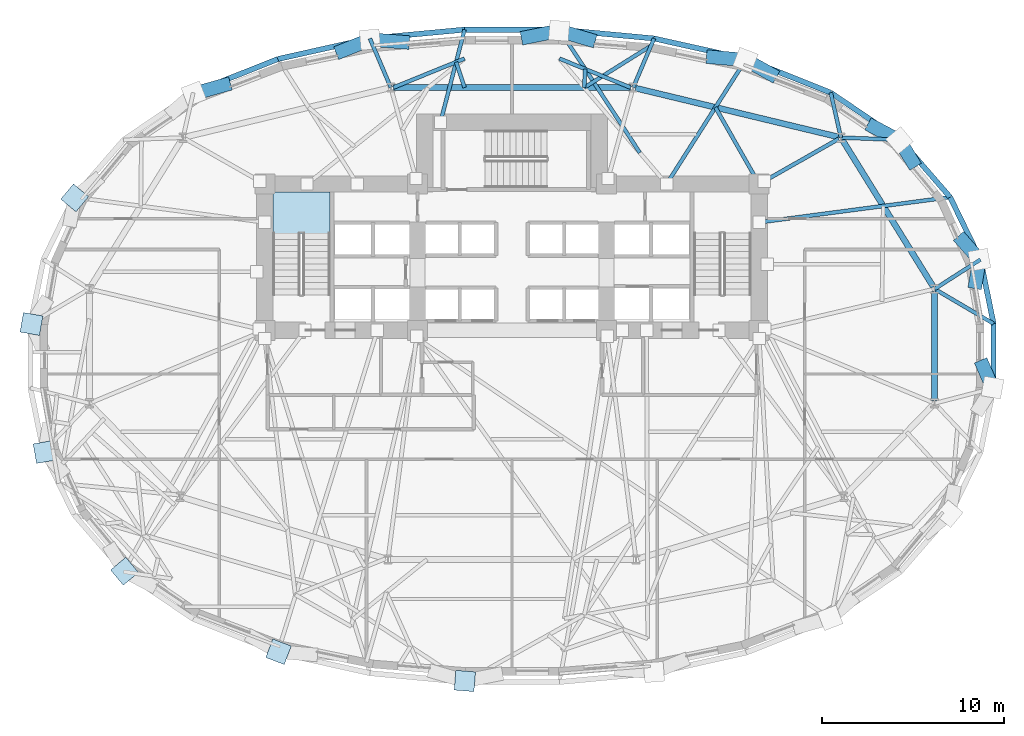
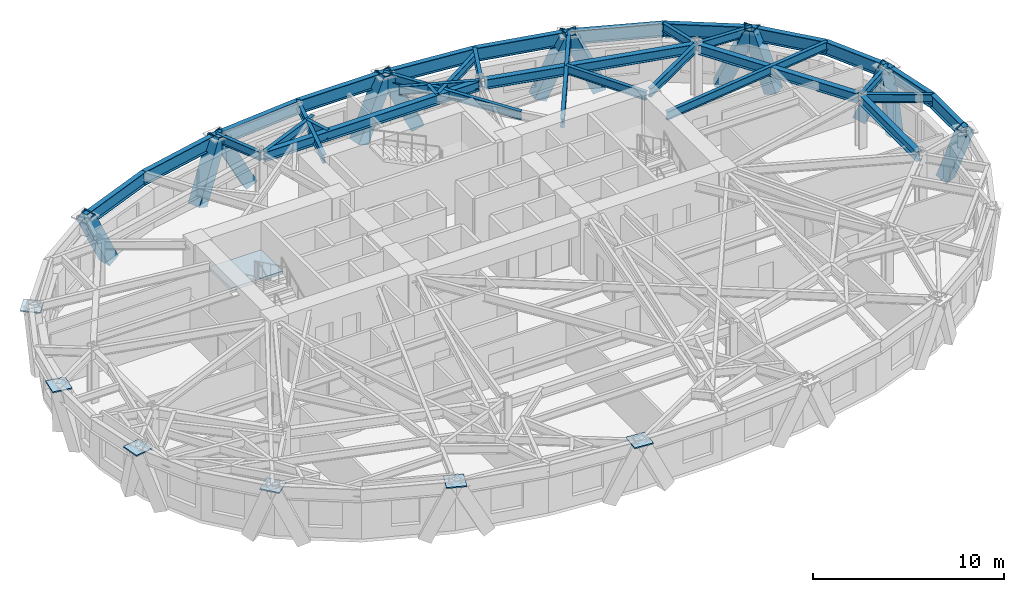
# One storey, part 4 of 13: 33 beams, 12 members, 6 plates, 1 slab, 1 element without a shape of its own.
"""IFC4 building model written with IfcOpenShell, lengths in metres."""

import ifcopenshell
import ifcopenshell.guid

model = None  # the IFC model being written
_history = None  # IfcOwnerHistory: only IFC2X3 demands one
_inside = {}  # id of a spatial element -> (the spatial element, [elements in it])
_under = {}  # id of a project, library or spatial element -> (it, [spatial elements below it])
_declared = {}  # id of a project -> (the project, [libraries it declares])
_typed = {}  # id of a type object -> (the type object, [elements of that type])
_made_of = {}  # id of a material, layer set ... -> (it, [elements and type objects made of it])


def new_model(schema):
    """Start an empty IFC model of exactly this schema.

    Asked for "IFC4X3", IfcOpenShell would pick the latest addendum, in which some entities
    have other attributes; the version numbers below select the first issue.
    IFC2X3 requires an IfcOwnerHistory on every rooted entity: one is made here for all.
    """
    global model, _history
    if schema == "IFC4X3":
        model = ifcopenshell.file(schema_version=(4, 3, 0, 0))
    else:
        model = ifcopenshell.file(schema=schema)
    _inside.clear()
    _under.clear()
    _declared.clear()
    _typed.clear()
    _made_of.clear()
    _history = None
    if model.schema == "IFC2X3":
        org = make("IfcOrganization", Name="unknown")
        user = make(
            "IfcPersonAndOrganization",
            ThePerson=make("IfcPerson", FamilyName="unknown"),
            TheOrganization=org,
        )
        app = make(
            "IfcApplication",
            ApplicationDeveloper=org,
            Version="unknown",
            ApplicationFullName="unknown",
            ApplicationIdentifier="unknown",
        )
        _history = make(
            "IfcOwnerHistory",
            OwningUser=user,
            OwningApplication=app,
            ChangeAction="ADDED",
            CreationDate=0,
        )
    return model


def make(cls, **values):
    """One entity of the class cls with the attributes given. An attribute that is None is left unset."""
    return model.create_entity(
        cls, **{name: value for name, value in values.items() if value is not None}
    )


def rooted(cls, **values):
    """An entity with a GlobalId (a new one), such as an element, a storey or a relation."""
    return make(cls, GlobalId=ifcopenshell.guid.new(), OwnerHistory=_history, **values)


def si_unit(unit_type, name, prefix=None):
    """IfcSIUnit, for example si_unit("LENGTHUNIT", "METRE", prefix="MILLI")."""
    return make("IfcSIUnit", UnitType=unit_type, Prefix=prefix, Name=name)


def assignment(units):
    """IfcUnitAssignment: the units of a project."""
    return None if units is None else make("IfcUnitAssignment", Units=units)


def point(xyz):
    """IfcCartesianPoint."""
    return None if xyz is None else make("IfcCartesianPoint", Coordinates=xyz)


def direction(xyz):
    """IfcDirection."""
    return None if xyz is None else make("IfcDirection", DirectionRatios=xyz)


def frame(location, z_axis=None, x_axis=None):
    """IfcAxis2Placement3D, a coordinate frame: its origin and axes. An axis left out is left unset."""
    return make(
        "IfcAxis2Placement3D",
        Location=point(location),
        Axis=direction(z_axis),
        RefDirection=direction(x_axis),
    )


def frame_2d(location, x_axis=None):
    """IfcAxis2Placement2D, a coordinate frame in the plane: its origin and x axis."""
    return make(
        "IfcAxis2Placement2D", Location=point(location), RefDirection=direction(x_axis)
    )


def origin():
    """The frame at (0, 0, 0) with its axes left unset."""
    return frame((0.0, 0.0, 0.0))


def origin_2d():
    """The frame at (0, 0) in the plane with its x axis left unset."""
    return frame_2d((0.0, 0.0))


def place(relative_to, where):
    """IfcLocalPlacement: puts the frame where relative to a parent placement (None: the world)."""
    return make(
        "IfcLocalPlacement", PlacementRelTo=relative_to, RelativePlacement=where
    )


def context(
    kind, dimensions, precision=None, world=None, true_north=None, identifier=None
):
    """IfcGeometricRepresentationContext, for example the 3D "Model" context."""
    return make(
        "IfcGeometricRepresentationContext",
        ContextIdentifier=identifier,
        ContextType=kind,
        CoordinateSpaceDimension=dimensions,
        Precision=precision,
        WorldCoordinateSystem=world,
        TrueNorth=true_north,
    )


def subcontext(parent, identifier, kind, view, scale=None):
    """IfcGeometricRepresentationSubContext, for example "Body" below "Model"."""
    return make(
        "IfcGeometricRepresentationSubContext",
        ContextIdentifier=identifier,
        ContextType=kind,
        ParentContext=parent,
        TargetScale=scale,
        TargetView=view,
    )


def project(units=None, contexts=None):
    """IfcProject with its units and contexts."""
    return rooted(
        "IfcProject",
        Name="project",
        RepresentationContexts=contexts,
        UnitsInContext=assignment(units),
    )


def spatial(cls, under=None, at=None, **own):
    """A site, building, storey or space (cls), placed at a placement, below another one or the project."""
    s = rooted(cls, ObjectPlacement=at, **own)
    if under is not None:
        _under.setdefault(under.id(), (under, []))[1].append(s)
    return s


def polyline(points):
    """IfcPolyline through the points."""
    return make("IfcPolyline", Points=[point(p) for p in points])


def profile(cls, at=None, kind="AREA", **sizes):
    """A parametric profile (cls). Its sizes go by their IFC names, for example OverallWidth=200.0."""
    return make(cls, ProfileType=kind, Position=at, **sizes)


def rectangle(**sizes):
    """IfcRectangleProfileDef."""
    return profile("IfcRectangleProfileDef", **sizes)


def hollow_rectangle(**sizes):
    """IfcRectangleHollowProfileDef."""
    return profile("IfcRectangleHollowProfileDef", **sizes)


def i_section(**sizes):
    """IfcIShapeProfileDef."""
    return profile("IfcIShapeProfileDef", **sizes)


def outline(outer, holes=None, kind="AREA"):
    """IfcArbitraryClosedProfileDef: a profile drawn as a closed curve; with holes, ...WithVoids."""
    if holes is None:
        return make("IfcArbitraryClosedProfileDef", ProfileType=kind, OuterCurve=outer)
    return make(
        "IfcArbitraryProfileDefWithVoids",
        ProfileType=kind,
        OuterCurve=outer,
        InnerCurves=holes,
    )


def extrude(swept, where, along, depth):
    """IfcExtrudedAreaSolid: the profile swept, set in the frame where, extruded along a direction by depth."""
    return make(
        "IfcExtrudedAreaSolid",
        SweptArea=swept,
        Position=where,
        ExtrudedDirection=direction(along),
        Depth=depth,
    )


def shape(context_of_items, identifier, shape_type, items):
    """IfcShapeRepresentation: the items that make up one representation, for example the "Body"."""
    return make(
        "IfcShapeRepresentation",
        ContextOfItems=context_of_items,
        RepresentationIdentifier=identifier,
        RepresentationType=shape_type,
        Items=items,
    )


def material(Name=None, Category=None):
    """IfcMaterial."""
    return make("IfcMaterial", Name=Name, Category=Category)


def layer(
    of_material, thickness, ventilated=None, Name=None, Category=None, Priority=None
):
    """IfcMaterialLayer: one layer of a wall or slab, of a material (None: an air gap)."""
    return make(
        "IfcMaterialLayer",
        Material=of_material,
        LayerThickness=thickness,
        IsVentilated=ventilated,
        Name=Name,
        Category=Category,
        Priority=Priority,
    )


def layer_set(layers, Name=None):
    """IfcMaterialLayerSet."""
    return make("IfcMaterialLayerSet", MaterialLayers=layers, LayerSetName=Name)


def material_profile(
    of_material, cross_section, Name=None, Category=None, Priority=None
):
    """IfcMaterialProfile: a cross section and its material."""
    return make(
        "IfcMaterialProfile",
        Name=Name,
        Material=of_material,
        Profile=cross_section,
        Priority=Priority,
        Category=Category,
    )


def profile_set(profiles, Name=None, composite=None):
    """IfcMaterialProfileSet."""
    return make(
        "IfcMaterialProfileSet",
        Name=Name,
        MaterialProfiles=profiles,
        CompositeProfile=composite,
    )


def made_of(thing, what):
    """Note that an element or type object is made of a material, layer set ...; save() writes the relation."""
    if what is not None:
        _made_of.setdefault(what.id(), (what, []))[1].append(thing)
    return thing


def type_object(cls, material=None, **own):
    """A type object (cls), such as IfcWallType, which elements share."""
    return made_of(rooted(cls, **own), material)


def element(
    cls,
    number,
    at=None,
    inside=None,
    cuts=None,
    type_object=None,
    material=None,
    context=None,
    identifier="Body",
    shape_type=None,
    held_by="IfcProductDefinitionShape",
    body=None,
    shapes=None,
    **own,
):
    """One element of the class cls, such as IfcWall. Its Tag is "e" and its number.

    at: its placement. inside: the storey or other place that contains it. cuts: it is an
    opening in that element (IfcRelVoidsElement). A single representation is given by context,
    identifier, shape_type and body (its items); several are given by shapes. held_by: the class
    of the entity that holds the representations. save() writes the other relations.
    """
    e = rooted(cls, Tag="e%d" % number, ObjectPlacement=at, **own)
    if body is not None:
        shapes = [shape(context, identifier, shape_type, body)]
    if shapes is not None:
        e.Representation = make(held_by, Representations=shapes)
    if inside is not None:
        _inside.setdefault(inside.id(), (inside, []))[1].append(e)
    if cuts is not None:
        rooted(
            "IfcRelVoidsElement", RelatingBuildingElement=cuts, RelatedOpeningElement=e
        )
    if type_object is not None:
        _typed.setdefault(type_object.id(), (type_object, []))[1].append(e)
    return made_of(e, material)


def aggregate(whole, parts):
    """IfcRelAggregates: a whole, such as a stair, and the parts it consists of."""
    return rooted("IfcRelAggregates", RelatingObject=whole, RelatedObjects=parts)


def save(model, path):
    """Write the relations noted so far, then the file.

    IfcRelAggregates (storeys below a building ...), IfcRelContainedInSpatialStructure (elements
    in a storey), IfcRelDefinesByType, IfcRelAssociatesMaterial and IfcRelDeclares: one each for
    every whole, place, type object, material and project.
    """
    for whole, parts in _under.values():
        aggregate(whole, parts)
    for where, things in _inside.values():
        rooted(
            "IfcRelContainedInSpatialStructure",
            RelatedElements=things,
            RelatingStructure=where,
        )
    for kind, things in _typed.values():
        rooted("IfcRelDefinesByType", RelatedObjects=things, RelatingType=kind)
    for what, things in _made_of.values():
        rooted("IfcRelAssociatesMaterial", RelatedObjects=things, RelatingMaterial=what)
    for by, libraries in _declared.values():
        rooted("IfcRelDeclares", RelatingContext=by, RelatedDefinitions=libraries)
    model.write(path)


model = new_model("IFC4")

# Units and contexts
model_context = context("Model", 3, precision=1e-05, world=origin(), true_north=direction((0.0, 1.0)))
body_context = subcontext(model_context, "Body", "Model", "MODEL_VIEW")
ifc_project = project(units=[si_unit("LENGTHUNIT", "METRE"), si_unit("AREAUNIT", "SQUARE_METRE"), si_unit("VOLUMEUNIT", "CUBIC_METRE"), si_unit("PLANEANGLEUNIT", "RADIAN"), si_unit("MASSUNIT", "GRAM", prefix="KILO")], contexts=[model_context])

# Site, building, storey
site_placement = place(None, origin())
site = spatial("IfcSite", under=ifc_project, at=site_placement, CompositionType="ELEMENT")
building_placement = place(site_placement, origin())
building = spatial("IfcBuilding", under=site, at=building_placement, Name="Keldmark Tower", CompositionType="ELEMENT")
storey_placement = place(building_placement, frame((0.0, 0.0, 34.199951171875)))
storey = spatial("IfcBuildingStorey", under=building, at=storey_placement, Name="L08", CompositionType="ELEMENT", Elevation=34.199951171875)

# Members
ifc_material_1 = material(Name="Steel ASTM A572 Grade 50", Category="steel")
ifc_material_profile_1 = material_profile(ifc_material_1, hollow_rectangle(XDim=0.75, YDim=0.75, WallThickness=0.06494140625, at=origin_2d()), Name="BOX750X750X65")
ifc_profile_set_1 = profile_set([ifc_material_profile_1], Name="Steel ASTM A572 Grade 50")
member_type = type_object("IfcMemberType", Name="Diagrid Lower Brace BOX750X750X65", PredefinedType="BRACE", material=ifc_profile_set_1)
member_1_placement = place(storey_placement, frame((25.513427734375, 4.046142578125, -0.280029296875), z_axis=(0.053655375719, 0.32943107791, 0.942653841855), x_axis=(-0.986994409179, 0.160754583913, 0.0)))
element("IfcMember", 1, at=member_1_placement, inside=storey, type_object=member_type, Name="L08 Perimeter Diagrid Brace 01A", PredefinedType="BRACE", context=body_context, shape_type="SweptSolid", body=[
    extrude(hollow_rectangle(XDim=0.75, YDim=0.75, WallThickness=0.06494140625, at=origin_2d()), origin(), (0.0, 0.0, 1.0), 3.776611328125),
])
member_2_placement = place(storey_placement, frame((24.79833984375, 6.33251953125, -0.280029296875), z_axis=(0.240502819307, -0.275480405554, 0.930735698284), x_axis=(0.753311452959, 0.657663937616, 0.0)))
element("IfcMember", 2, at=member_2_placement, inside=storey, type_object=member_type, Name="L08 Perimeter Diagrid Brace 01B", PredefinedType="BRACE", context=body_context, shape_type="SweptSolid", body=[
    extrude(hollow_rectangle(XDim=0.75, YDim=0.75, WallThickness=0.06494140625, at=origin_2d()), origin(), (0.0, 0.0, 1.0), 3.824951171875),
])
member_3_placement = place(storey_placement, frame((22.02294921875, 10.70166015625, -0.280029296875), z_axis=(-0.185266492709, 0.302044022382, 0.935118032776), x_axis=(-0.852421726762, -0.522854855332, 0.0)))
element("IfcMember", 3, at=member_3_placement, inside=storey, type_object=member_type, Name="L08 Perimeter Diagrid Brace 02A", PredefinedType="BRACE", context=body_context, shape_type="SweptSolid", body=[
    extrude(hollow_rectangle(XDim=0.75, YDim=0.75, WallThickness=0.06494140625, at=origin_2d()), origin(), (0.0, 0.0, 1.0), 3.80712890625),
])
member_4_placement = place(storey_placement, frame((19.884765625, 12.601806640625, -0.280029296875), z_axis=(0.367719203719, -0.194150251218, 0.909443932944), x_axis=(0.466901990353, 0.884309070068, 0.0)))
element("IfcMember", 4, at=member_4_placement, inside=storey, type_object=member_type, Name="L08 Perimeter Diagrid Brace 02B", PredefinedType="BRACE", context=body_context, shape_type="SweptSolid", body=[
    extrude(hollow_rectangle(XDim=0.75, YDim=0.75, WallThickness=0.06494140625, at=origin_2d()), origin(), (0.0, 0.0, 1.0), 3.91455078125),
])
member_5_placement = place(storey_placement, frame((14.2529296875, 15.498291015625, -0.280029296875), z_axis=(-0.359854750653, 0.200703847733, 0.911165475607), x_axis=(-0.487097232417, -0.873347746417, 0.0)))
element("IfcMember", 5, at=member_5_placement, inside=storey, type_object=member_type, Name="L08 Perimeter Diagrid Brace 03A", PredefinedType="BRACE", context=body_context, shape_type="SweptSolid", body=[
    extrude(hollow_rectangle(XDim=0.75, YDim=0.75, WallThickness=0.06494140625, at=origin_2d()), origin(), (0.0, 0.0, 1.0), 3.9072265625),
])
member_6_placement = place(storey_placement, frame((11.02880859375, 16.43310546875, -0.280029296875), z_axis=(0.456401695328, -0.039257738986, 0.88890737562), x_axis=(0.085699312673, 0.996321046554, 0.0)))
element("IfcMember", 6, at=member_6_placement, inside=storey, type_object=member_type, Name="L08 Perimeter Diagrid Brace 03B", PredefinedType="BRACE", context=body_context, shape_type="SweptSolid", body=[
    extrude(hollow_rectangle(XDim=0.75, YDim=0.75, WallThickness=0.06494140625, at=origin_2d()), origin(), (0.0, 0.0, 1.0), 4.0048828125),
])
member_7_placement = place(storey_placement, frame((4.25390625, 17.400146484375, -0.280029296875), z_axis=(-0.419694781518, 0.123639147362, 0.899205010888), x_axis=(-0.282585976915, -0.959241974504, 0.0)))
element("IfcMember", 7, at=member_7_placement, inside=storey, type_object=member_type, Name="L08 Perimeter Diagrid Brace 04A", PredefinedType="BRACE", context=body_context, shape_type="SweptSolid", body=[
    extrude(hollow_rectangle(XDim=0.75, YDim=0.75, WallThickness=0.06494140625, at=origin_2d()), origin(), (0.0, 0.0, 1.0), 3.959228515625),
])
member_8_placement = place(storey_placement, frame((0.84716796875, 17.53662109375, -0.280029296875), z_axis=(0.440768792852, 0.087969977281, 0.893299588237), x_axis=(-0.195722954023, 0.980659229941, 0.0)))
element("IfcMember", 8, at=member_8_placement, inside=storey, type_object=member_type, Name="L08 Perimeter Diagrid Brace 04B", PredefinedType="BRACE", context=body_context, shape_type="SweptSolid", body=[
    extrude(hollow_rectangle(XDim=0.75, YDim=0.75, WallThickness=0.06494140625, at=origin_2d()), origin(), (0.0, 0.0, 1.0), 3.9853515625),
])
member_9_placement = place(storey_placement, frame((-5.977294921875, 17.259033203125, -0.280029296875), z_axis=(-0.458013492093, 0.035147464415, 0.888250131892), x_axis=(-0.076513968609, -0.997068509486, 0.0)))
element("IfcMember", 9, at=member_9_placement, inside=storey, type_object=member_type, Name="L08 Perimeter Diagrid Brace 05A", PredefinedType="BRACE", context=body_context, shape_type="SweptSolid", body=[
    extrude(hollow_rectangle(XDim=0.75, YDim=0.75, WallThickness=0.06494140625, at=origin_2d()), origin(), (0.0, 0.0, 1.0), 4.008056640625),
])
member_10_placement = place(storey_placement, frame((-9.35888671875, 16.775634765625, -0.280029296875), z_axis=(0.395676725694, 0.159163893734, 0.904492555898), x_axis=(-0.373195418758, 0.927752757699, 0.0)))
element("IfcMember", 10, at=member_10_placement, inside=storey, type_object=member_type, Name="L08 Perimeter Diagrid Brace 05B", PredefinedType="BRACE", context=body_context, shape_type="SweptSolid", body=[
    extrude(hollow_rectangle(XDim=0.75, YDim=0.75, WallThickness=0.06494140625, at=origin_2d()), origin(), (0.0, 0.0, 1.0), 3.93603515625),
])
member_11_placement = place(storey_placement, frame((-15.815673828125, 14.8974609375, -0.280029296875), z_axis=(-0.426661100334, -0.119514290929, 0.896480139058), x_axis=(0.269732855336, -0.962935193433, 0.0)))
element("IfcMember", 11, at=member_11_placement, inside=storey, type_object=member_type, Name="L08 Perimeter Diagrid Brace 06A", PredefinedType="BRACE", context=body_context, shape_type="SweptSolid", body=[
    extrude(hollow_rectangle(XDim=0.75, YDim=0.75, WallThickness=0.06494140625, at=origin_2d()), origin(), (0.0, 0.0, 1.0), 3.97119140625),
])
member_12_placement = place(storey_placement, frame((25.923095703125, -0.57177734375, -0.280029296875), z_axis=(0.135265624771, -0.314094642752, 0.93970621268), x_axis=(0.918451585757, 0.39553341783, 0.0)))
element("IfcMember", 12, at=member_12_placement, inside=storey, type_object=member_type, Name="L08 Perimeter Diagrid Brace 16B", PredefinedType="BRACE", context=body_context, shape_type="SweptSolid", body=[
    extrude(hollow_rectangle(XDim=0.75, YDim=0.75, WallThickness=0.06494140625, at=origin_2d()), origin(), (0.0, 0.0, 1.0), 3.78857421875),
])

# Beams
ifc_material_2 = material(Name="Steel ASTM A992 Grade 50", Category="steel")
ifc_material_profile_2 = material_profile(ifc_material_2, i_section(OverallWidth=0.323974609375, OverallDepth=0.611083984375, WebThickness=0.0126953125, FlangeThickness=0.01904296875, at=origin_2d()), Name="W24X104")
ifc_profile_set_2 = profile_set([ifc_material_profile_2], Name="Steel ASTM A992 Grade 50")
beam_type_1 = type_object("IfcBeamType", Name="Primary Floor Girder W24X104", PredefinedType="BEAM", material=ifc_profile_set_2)
beam_1_placement = place(storey_placement, frame((23.180419921875, 3.796142578125, 3.094482421875), z_axis=(-0.526318405849, 0.850287560573, 0.0), x_axis=(-0.850287560573, -0.526318405849, 0.0)))
element("IfcBeam", 13, at=beam_1_placement, inside=storey, type_object=beam_type_1, Name="L08 Floor Ring Girder FG-R01", PredefinedType="BEAM", context=body_context, shape_type="SweptSolid", body=[
    extrude(i_section(OverallWidth=0.323974609375, OverallDepth=0.611083984375, WebThickness=0.0126953125, FlangeThickness=0.01904296875, at=origin_2d()), origin(), (0.0, 0.0, 1.0), 9.51708984375),
])
beam_2_placement = place(storey_placement, frame((17.961669921875, 12.040283203125, 3.094482421875), z_axis=(-0.972218707757, 0.2340743136, 0.0), x_axis=(-0.2340743136, -0.972218707757, 0.0)))
element("IfcBeam", 14, at=beam_2_placement, inside=storey, type_object=beam_type_1, Name="L08 Floor Ring Girder FG-R02", PredefinedType="BEAM", context=body_context, shape_type="SweptSolid", body=[
    extrude(i_section(OverallWidth=0.323974609375, OverallDepth=0.611083984375, WebThickness=0.0126953125, FlangeThickness=0.01904296875, at=origin_2d()), origin(), (0.0, 0.0, 1.0), 11.479248046875),
])
beam_3_placement = place(storey_placement, frame((6.525146484375, 14.760009765625, 3.094482421875), z_axis=(-1.0, 0.0, 0.0), x_axis=(0.0, -1.0, 0.0)))
element("IfcBeam", 15, at=beam_3_placement, inside=storey, type_object=beam_type_1, Name="L08 Floor Ring Girder FG-R03", PredefinedType="BEAM", context=body_context, shape_type="SweptSolid", body=[
    extrude(i_section(OverallWidth=0.323974609375, OverallDepth=0.611083984375, WebThickness=0.0126953125, FlangeThickness=0.01904296875, at=origin_2d()), origin(), (0.0, 0.0, 1.0), 13.05029296875),
])
beam_4_placement = place(storey_placement, frame((23.25390625, -2.47314453125, 3.094482421875), z_axis=(0.0, 1.0, 0.0), x_axis=(-1.0, 0.0, 0.0)))
element("IfcBeam", 16, at=beam_4_placement, inside=storey, type_object=beam_type_1, Name="L08 Floor Ring Girder FG-R12", PredefinedType="BEAM", context=body_context, shape_type="SweptSolid", body=[
    extrude(i_section(OverallWidth=0.323974609375, OverallDepth=0.611083984375, WebThickness=0.0126953125, FlangeThickness=0.01904296875, at=origin_2d()), origin(), (0.0, 0.0, 1.0), 6.01025390625),
])
ifc_material_3 = material(Name="Steel ASTM A992 Grade 50", Category="steel")
ifc_material_profile_3 = material_profile(ifc_material_3, i_section(OverallWidth=0.2099609375, OverallDepth=0.537109375, WebThickness=0.010986328125, FlangeThickness=0.017333984375, at=origin_2d()), Name="W21X68")
ifc_profile_set_3 = profile_set([ifc_material_profile_3], Name="Steel ASTM A992 Grade 50")
beam_type_2 = type_object("IfcBeamType", Name="Radial Tie Girder W21X68", PredefinedType="BEAM", material=ifc_profile_set_3)
beam_5_placement = place(storey_placement, frame((23.25390625, 3.67724609375, 3.131591796875), z_axis=(0.861593704402, -0.507598550564, 0.0), x_axis=(0.507598550564, 0.861593704402, 0.0)))
element("IfcBeam", 17, at=beam_5_placement, inside=storey, type_object=beam_type_2, Name="L08 Perimeter Column Bracket RT-01", PredefinedType="BEAM", context=body_context, shape_type="SweptSolid", body=[
    extrude(i_section(OverallWidth=0.2099609375, OverallDepth=0.537109375, WebThickness=0.010986328125, FlangeThickness=0.017333984375, at=origin_2d()), origin(), (0.0, 0.0, 1.0), 3.76220703125),
])
beam_6_placement = place(storey_placement, frame((23.25390625, 3.67724609375, 3.131591796875), z_axis=(0.841477452881, 0.540292232308, 0.0), x_axis=(-0.540292232308, 0.841477452881, 0.0)))
element("IfcBeam", 18, at=beam_6_placement, inside=storey, type_object=beam_type_2, Name="L08 Perimeter Column Bracket RT-02", PredefinedType="BEAM", context=body_context, shape_type="SweptSolid", body=[
    extrude(i_section(OverallWidth=0.2099609375, OverallDepth=0.537109375, WebThickness=0.010986328125, FlangeThickness=0.017333984375, at=origin_2d()), origin(), (0.0, 0.0, 1.0), 2.996826171875),
])
beam_7_placement = place(storey_placement, frame((13.60009765625, 7.343017578125, 3.131591796875), z_axis=(0.991425178429, 0.13067561202, 0.0), x_axis=(-0.13067561202, 0.991425178429, 0.0)))
element("IfcBeam", 19, at=beam_7_placement, inside=storey, type_object=beam_type_2, Name="L08 Perimeter Radial Tie Girder RT-03", PredefinedType="BEAM", context=body_context, shape_type="SweptSolid", body=[
    extrude(i_section(OverallWidth=0.2099609375, OverallDepth=0.537109375, WebThickness=0.010986328125, FlangeThickness=0.017333984375, at=origin_2d()), origin(), (0.0, 0.0, 1.0), 10.596923828125),
])
beam_8_placement = place(storey_placement, frame((18.09765625, 12.00732421875, 3.131591796875), z_axis=(0.999242785222, -0.03890830478, 0.0), x_axis=(0.03890830478, 0.999242785222, 0.0)))
element("IfcBeam", 20, at=beam_8_placement, inside=storey, type_object=beam_type_2, Name="L08 Perimeter Column Bracket RT-04", PredefinedType="BEAM", context=body_context, shape_type="SweptSolid", body=[
    extrude(i_section(OverallWidth=0.2099609375, OverallDepth=0.537109375, WebThickness=0.010986328125, FlangeThickness=0.017333984375, at=origin_2d()), origin(), (0.0, 0.0, 1.0), 3.275390625),
])
beam_9_placement = place(storey_placement, frame((18.09765625, 12.00732421875, 3.131591796875), z_axis=(-0.221003979006, 0.975272906044, 0.0), x_axis=(-0.975272906044, -0.221003979006, 0.0)))
element("IfcBeam", 21, at=beam_9_placement, inside=storey, type_object=beam_type_2, Name="L08 Perimeter Column Bracket RT-05", PredefinedType="BEAM", context=body_context, shape_type="SweptSolid", body=[
    extrude(i_section(OverallWidth=0.2099609375, OverallDepth=0.537109375, WebThickness=0.010986328125, FlangeThickness=0.017333984375, at=origin_2d()), origin(), (0.0, 0.0, 1.0), 2.53076171875),
])
beam_10_placement = place(storey_placement, frame((13.60009765625, 9.449951171875, 3.131591796875), z_axis=(-0.495489383, 0.868613994438, 0.0), x_axis=(-0.868613994438, -0.495489383, 0.0)))
element("IfcBeam", 22, at=beam_10_placement, inside=storey, type_object=beam_type_2, Name="L08 Framing Pin Header PH-004", PredefinedType="BEAM", context=body_context, shape_type="SweptSolid", body=[
    extrude(i_section(OverallWidth=0.2099609375, OverallDepth=0.537109375, WebThickness=0.010986328125, FlangeThickness=0.017333984375, at=origin_2d()), origin(), (0.0, 0.0, 1.0), 4.8583984375),
])
beam_11_placement = place(storey_placement, frame((8.507080078125, 9.449951171875, 3.131591796875), z_axis=(0.536914239686, 0.843636828987, 0.0), x_axis=(-0.843636828987, 0.536914239686, 0.0)))
element("IfcBeam", 23, at=beam_11_placement, inside=storey, type_object=beam_type_2, Name="L08 Perimeter Radial Tie Girder RT-06", PredefinedType="BEAM", context=body_context, shape_type="SweptSolid", body=[
    extrude(i_section(OverallWidth=0.2099609375, OverallDepth=0.537109375, WebThickness=0.010986328125, FlangeThickness=0.017333984375, at=origin_2d()), origin(), (0.0, 0.0, 1.0), 8.15380859375),
])
beam_12_placement = place(storey_placement, frame((6.6650390625, 14.760009765625, 3.131591796875), z_axis=(0.393066089812, 0.919510222369, 0.0), x_axis=(-0.919510222369, 0.393066089812, 0.0)))
element("IfcBeam", 24, at=beam_12_placement, inside=storey, type_object=beam_type_2, Name="L08 Perimeter Column Bracket RT-07", PredefinedType="BEAM", context=body_context, shape_type="SweptSolid", body=[
    extrude(i_section(OverallWidth=0.2099609375, OverallDepth=0.537109375, WebThickness=0.010986328125, FlangeThickness=0.017333984375, at=origin_2d()), origin(), (0.0, 0.0, 1.0), 2.93603515625),
])
beam_13_placement = place(storey_placement, frame((7.64599609375, 17.0546875, 3.131591796875), z_axis=(-0.848229319738, -0.529629135469, 0.0), x_axis=(0.529629135469, -0.848229319738, 0.0)))
element("IfcBeam", 25, at=beam_13_placement, inside=storey, type_object=beam_type_2, Name="L08 Framing Pin Header PH-005", PredefinedType="BEAM", context=body_context, shape_type="SweptSolid", body=[
    extrude(i_section(OverallWidth=0.2099609375, OverallDepth=0.537109375, WebThickness=0.010986328125, FlangeThickness=0.017333984375, at=origin_2d()), origin(), (0.0, 0.0, 1.0), 4.33251953125),
])
beam_14_placement = place(storey_placement, frame((6.525146484375, 14.760009765625, 3.131591796875), z_axis=(-0.926233550527, 0.37695014243, 0.0), x_axis=(-0.37695014243, -0.926233550527, 0.0)))
element("IfcBeam", 26, at=beam_14_placement, inside=storey, type_object=beam_type_2, Name="L08 Local Collector Chord RT-08C", PredefinedType="BEAM", context=body_context, shape_type="SweptSolid", body=[
    extrude(i_section(OverallWidth=0.2099609375, OverallDepth=0.537109375, WebThickness=0.010986328125, FlangeThickness=0.017333984375, at=origin_2d()), origin(), (0.0, 0.0, 1.0), 4.227294921875),
])
beam_15_placement = place(storey_placement, frame((3.970947265625, 14.760009765625, 3.131591796875), z_axis=(0.055629381601, 0.998451487005, 0.0), x_axis=(-0.998451487005, 0.055629381601, 0.0)))
element("IfcBeam", 27, at=beam_15_placement, inside=storey, type_object=beam_type_2, Name="L08 Framing Pin Header PH-006", PredefinedType="BEAM", context=body_context, shape_type="SweptSolid", body=[
    extrude(i_section(OverallWidth=0.2099609375, OverallDepth=0.537109375, WebThickness=0.010986328125, FlangeThickness=0.017333984375, at=origin_2d()), origin(), (0.0, 0.0, 1.0), 1.01806640625),
])
beam_16_placement = place(storey_placement, frame((7.03271484375, 11.17578125, 3.131591796875), z_axis=(-0.546880883603, 0.837210427043, 0.0), x_axis=(-0.837210427043, -0.546880883603, 0.0)))
element("IfcBeam", 28, at=beam_16_placement, inside=storey, type_object=beam_type_2, Name="L08 Perimeter Radial Tie Girder RT-08", PredefinedType="BEAM", context=body_context, shape_type="SweptSolid", body=[
    extrude(i_section(OverallWidth=0.2099609375, OverallDepth=0.537109375, WebThickness=0.010986328125, FlangeThickness=0.017333984375, at=origin_2d()), origin(), (0.0, 0.0, 1.0), 8.087890625),
])
beam_17_placement = place(storey_placement, frame((-6.525146484375, 14.760009765625, 3.131591796875), z_axis=(0.926233550527, 0.37695014243, 0.0), x_axis=(-0.37695014243, 0.926233550527, 0.0)))
element("IfcBeam", 29, at=beam_17_placement, inside=storey, type_object=beam_type_2, Name="L08 Local Collector Chord RT-09C", PredefinedType="BEAM", context=body_context, shape_type="SweptSolid", body=[
    extrude(i_section(OverallWidth=0.2099609375, OverallDepth=0.537109375, WebThickness=0.010986328125, FlangeThickness=0.017333984375, at=origin_2d()), origin(), (0.0, 0.0, 1.0), 4.227294921875),
])
beam_18_placement = place(storey_placement, frame((-2.610107421875, 14.760009765625, 3.131591796875), z_axis=(-0.31360220079, 0.949554453236, 0.0), x_axis=(-0.949554453236, -0.31360220079, 0.0)))
element("IfcBeam", 30, at=beam_18_placement, inside=storey, type_object=beam_type_2, Name="L08 Framing Pin Header PH-008", PredefinedType="BEAM", context=body_context, shape_type="SweptSolid", body=[
    extrude(i_section(OverallWidth=0.2099609375, OverallDepth=0.537109375, WebThickness=0.010986328125, FlangeThickness=0.017333984375, at=origin_2d()), origin(), (0.0, 0.0, 1.0), 1.479248046875),
])
beam_19_placement = place(storey_placement, frame((-3.9375, 12.85009765625, 3.131591796875), z_axis=(0.252110543821, 0.967698441507, 0.0), x_axis=(-0.967698441507, 0.252110543821, 0.0)))
element("IfcBeam", 31, at=beam_19_placement, inside=storey, type_object=beam_type_2, Name="L08 Perimeter Radial Tie Girder RT-09", PredefinedType="BEAM", context=body_context, shape_type="SweptSolid", body=[
    extrude(i_section(OverallWidth=0.2099609375, OverallDepth=0.537109375, WebThickness=0.010986328125, FlangeThickness=0.017333984375, at=origin_2d()), origin(), (0.0, 0.0, 1.0), 5.26708984375),
])
beam_20_placement = place(storey_placement, frame((-6.6650390625, 14.760009765625, 3.131591796875), z_axis=(-0.393066089812, 0.919510222369, 0.0), x_axis=(-0.919510222369, -0.393066089812, 0.0)))
element("IfcBeam", 32, at=beam_20_placement, inside=storey, type_object=beam_type_2, Name="L08 Perimeter Column Bracket RT-10", PredefinedType="BEAM", context=body_context, shape_type="SweptSolid", body=[
    extrude(i_section(OverallWidth=0.2099609375, OverallDepth=0.537109375, WebThickness=0.010986328125, FlangeThickness=0.017333984375, at=origin_2d()), origin(), (0.0, 0.0, 1.0), 2.93603515625),
])
ifc_material_4 = material(Name="Steel ASTM A992 Grade 50", Category="steel")
ifc_material_profile_4 = material_profile(ifc_material_4, i_section(OverallWidth=0.214111328125, OverallDepth=0.549072265625, WebThickness=0.0146484375, FlangeThickness=0.023681640625, at=origin_2d()), Name="W21X93")
ifc_profile_set_4 = profile_set([ifc_material_profile_4], Name="Steel ASTM A992 Grade 50")
beam_type_3 = type_object("IfcBeamType", Name="Radial Tie Girder W21X93", PredefinedType="BEAM", material=ifc_profile_set_4)
beam_21_placement = place(storey_placement, frame((17.97607421875, 11.938232421875, 3.12548828125), z_axis=(-0.869299282131, -0.494286109542, 0.0), x_axis=(0.494286109542, -0.869299282131, 0.0)))
element("IfcBeam", 33, at=beam_21_placement, inside=storey, type_object=beam_type_3, Name="L08 Floor Radial Girder FG-C02", PredefinedType="BEAM", context=body_context, shape_type="SweptSolid", body=[
    extrude(i_section(OverallWidth=0.214111328125, OverallDepth=0.549072265625, WebThickness=0.0146484375, FlangeThickness=0.023681640625, at=origin_2d()), origin(), (0.0, 0.0, 1.0), 4.714111328125),
])
ifc_material_5 = material(Name="Steel ASTM A992 Grade 50", Category="steel")
ifc_material_profile_5 = material_profile(ifc_material_5, i_section(OverallWidth=0.2919921875, OverallDepth=0.85888671875, WebThickness=0.01708984375, FlangeThickness=0.031005859375, at=origin_2d()), Name="W33X169")
ifc_profile_set_5 = profile_set([ifc_material_profile_5], Name="Steel ASTM A992 Grade 50")
beam_type_4 = type_object("IfcBeamType", Name="Spandrel Ring Beam W33X169", PredefinedType="SPANDREL", material=ifc_profile_set_5)
beam_22_placement = place(storey_placement, frame((26.495361328125, 1.767578125, 2.970458984375), z_axis=(-0.199843134177, 0.979827904135, 0.0), x_axis=(-0.979827904135, -0.199843134177, 0.0)))
element("IfcBeam", 34, at=beam_22_placement, inside=storey, type_object=beam_type_4, Name="L08 Perimeter Spandrel Ring Beam SRB-01", PredefinedType="SPANDREL", context=body_context, shape_type="SweptSolid", body=[
    extrude(i_section(OverallWidth=0.2919921875, OverallDepth=0.85888671875, WebThickness=0.01708984375, FlangeThickness=0.031005859375, at=origin_2d()), origin(), (0.0, 0.0, 1.0), 3.6015625),
])
beam_23_placement = place(storey_placement, frame((25.775634765625, 5.29638671875, 2.970458984375), z_axis=(-0.437488090563, 0.899224204865, 0.0), x_axis=(-0.899224204865, -0.437488090563, 0.0)))
element("IfcBeam", 35, at=beam_23_placement, inside=storey, type_object=beam_type_4, Name="L08 Perimeter Spandrel Ring Beam SRB-02", PredefinedType="SPANDREL", context=body_context, shape_type="SweptSolid", body=[
    extrude(i_section(OverallWidth=0.2919921875, OverallDepth=0.85888671875, WebThickness=0.01708984375, FlangeThickness=0.031005859375, at=origin_2d()), origin(), (0.0, 0.0, 1.0), 3.81591796875),
])
beam_24_placement = place(storey_placement, frame((24.106201171875, 8.727783203125, 2.970458984375), z_axis=(-0.655447050027, 0.755241130111, 0.0), x_axis=(-0.755241130111, -0.655447050027, 0.0)))
element("IfcBeam", 36, at=beam_24_placement, inside=storey, type_object=beam_type_4, Name="L08 Perimeter Spandrel Ring Beam SRB-03", PredefinedType="SPANDREL", context=body_context, shape_type="SweptSolid", body=[
    extrude(i_section(OverallWidth=0.2919921875, OverallDepth=0.85888671875, WebThickness=0.01708984375, FlangeThickness=0.031005859375, at=origin_2d()), origin(), (0.0, 0.0, 1.0), 4.173583984375),
])
beam_25_placement = place(storey_placement, frame((21.37060546875, 11.8798828125, 2.970458984375), z_axis=(-0.827954241597, 0.560795661379, 0.0), x_axis=(-0.560795661379, -0.827954241597, 0.0)))
element("IfcBeam", 37, at=beam_25_placement, inside=storey, type_object=beam_type_4, Name="L08 Perimeter Spandrel Ring Beam SRB-04", PredefinedType="SPANDREL", context=body_context, shape_type="SweptSolid", body=[
    extrude(i_section(OverallWidth=0.2919921875, OverallDepth=0.85888671875, WebThickness=0.01708984375, FlangeThickness=0.031005859375, at=origin_2d()), origin(), (0.0, 0.0, 1.0), 4.628662109375),
])
beam_26_placement = place(storey_placement, frame((17.538330078125, 14.4755859375, 2.970458984375), z_axis=(-0.929030310441, 0.370003624688, 0.0), x_axis=(-0.370003624688, -0.929030310441, 0.0)))
element("IfcBeam", 38, at=beam_26_placement, inside=storey, type_object=beam_type_4, Name="L08 Perimeter Spandrel Ring Beam SRB-05", PredefinedType="SPANDREL", context=body_context, shape_type="SweptSolid", body=[
    extrude(i_section(OverallWidth=0.2919921875, OverallDepth=0.85888671875, WebThickness=0.01708984375, FlangeThickness=0.031005859375, at=origin_2d()), origin(), (0.0, 0.0, 1.0), 5.0087890625),
])
beam_27_placement = place(storey_placement, frame((12.885009765625, 16.328857421875, 2.970458984375), z_axis=(-0.97597854999, 0.217866633424, 0.0), x_axis=(-0.217866633424, -0.97597854999, 0.0)))
element("IfcBeam", 39, at=beam_27_placement, inside=storey, type_object=beam_type_4, Name="L08 Perimeter Spandrel Ring Beam SRB-06", PredefinedType="SPANDREL", context=body_context, shape_type="SweptSolid", body=[
    extrude(i_section(OverallWidth=0.2919921875, OverallDepth=0.85888671875, WebThickness=0.01708984375, FlangeThickness=0.031005859375, at=origin_2d()), origin(), (0.0, 0.0, 1.0), 5.190673828125),
])
beam_28_placement = place(storey_placement, frame((7.819091796875, 17.459716796875, 2.970458984375), z_axis=(-0.995653447503, 0.093135452302, 0.0), x_axis=(-0.093135452302, -0.995653447503, 0.0)))
element("IfcBeam", 40, at=beam_28_placement, inside=storey, type_object=beam_type_4, Name="L08 Perimeter Spandrel Ring Beam SRB-07", PredefinedType="SPANDREL", context=body_context, shape_type="SweptSolid", body=[
    extrude(i_section(OverallWidth=0.2919921875, OverallDepth=0.85888671875, WebThickness=0.01708984375, FlangeThickness=0.031005859375, at=origin_2d()), origin(), (0.0, 0.0, 1.0), 5.232177734375),
])
beam_29_placement = place(storey_placement, frame((2.609619140625, 17.947021484375, 2.970458984375), z_axis=(-1.0, 0.0, 0.0), x_axis=(0.0, -1.0, 0.0)))
element("IfcBeam", 41, at=beam_29_placement, inside=storey, type_object=beam_type_4, Name="L08 Perimeter Spandrel Ring Beam SRB-08", PredefinedType="SPANDREL", context=body_context, shape_type="SweptSolid", body=[
    extrude(i_section(OverallWidth=0.2919921875, OverallDepth=0.85888671875, WebThickness=0.01708984375, FlangeThickness=0.031005859375, at=origin_2d()), origin(), (0.0, 0.0, 1.0), 5.21923828125),
])
beam_30_placement = place(storey_placement, frame((-2.609619140625, 17.947021484375, 2.970458984375), z_axis=(-0.995653447503, -0.093135452302, 0.0), x_axis=(0.093135452302, -0.995653447503, 0.0)))
element("IfcBeam", 42, at=beam_30_placement, inside=storey, type_object=beam_type_4, Name="L08 Perimeter Spandrel Ring Beam SRB-09", PredefinedType="SPANDREL", context=body_context, shape_type="SweptSolid", body=[
    extrude(i_section(OverallWidth=0.2919921875, OverallDepth=0.85888671875, WebThickness=0.01708984375, FlangeThickness=0.031005859375, at=origin_2d()), origin(), (0.0, 0.0, 1.0), 5.232177734375),
])
beam_31_placement = place(storey_placement, frame((-7.819091796875, 17.459716796875, 2.970458984375), z_axis=(-0.97597854999, -0.217866633424, 0.0), x_axis=(0.217866633424, -0.97597854999, 0.0)))
element("IfcBeam", 43, at=beam_31_placement, inside=storey, type_object=beam_type_4, Name="L08 Perimeter Spandrel Ring Beam SRB-10", PredefinedType="SPANDREL", context=body_context, shape_type="SweptSolid", body=[
    extrude(i_section(OverallWidth=0.2919921875, OverallDepth=0.85888671875, WebThickness=0.01708984375, FlangeThickness=0.031005859375, at=origin_2d()), origin(), (0.0, 0.0, 1.0), 5.190673828125),
])
beam_32_placement = place(storey_placement, frame((-12.885009765625, 16.328857421875, 2.970458984375), z_axis=(-0.929030310441, -0.370003624688, 0.0), x_axis=(0.370003624688, -0.929030310441, 0.0)))
element("IfcBeam", 44, at=beam_32_placement, inside=storey, type_object=beam_type_4, Name="L08 Perimeter Spandrel Ring Beam SRB-11", PredefinedType="SPANDREL", context=body_context, shape_type="SweptSolid", body=[
    extrude(i_section(OverallWidth=0.2919921875, OverallDepth=0.85888671875, WebThickness=0.01708984375, FlangeThickness=0.031005859375, at=origin_2d()), origin(), (0.0, 0.0, 1.0), 5.0087890625),
])
beam_33_placement = place(storey_placement, frame((26.495361328125, -1.767578125, 2.970458984375), z_axis=(0.0, 1.0, 0.0), x_axis=(-1.0, 0.0, 0.0)))
element("IfcBeam", 45, at=beam_33_placement, inside=storey, type_object=beam_type_4, Name="L08 Perimeter Spandrel Ring Beam SRB-32", PredefinedType="SPANDREL", context=body_context, shape_type="SweptSolid", body=[
    extrude(i_section(OverallWidth=0.2919921875, OverallDepth=0.85888671875, WebThickness=0.01708984375, FlangeThickness=0.031005859375, at=origin_2d()), origin(), (0.0, 0.0, 1.0), 3.53515625),
])

# Plates
ifc_material_6 = material(Name="Steel ASTM A572 Grade 50", Category="steel")
ifc_layer_1 = layer(ifc_material_6, 0.074951171875)
ifc_layer_set_1 = layer_set([ifc_layer_1], Name="Steel ASTM A572 Grade 50")
plate_type = type_object("IfcPlateType", Name="Diagrid Node Assembly DN01 75 mm", PredefinedType="USERDEFINED", material=ifc_layer_set_1)
for number, where, z_axis, x_axis, name in (
    (46, (-24.059814453125, 8.689697265625, 3.24267578125), (0.0, 0.0, 1.0), (-0.640645906534, -0.767836455531, 0.0), "L08 Diagrid Node Assembly 13"),
    (47, (-26.43798828125, 1.750244140625, 3.24267578125), (0.0, 0.0, 1.0), (-0.173991929836, -0.984747078367, 0.0), "L08 Diagrid Node Assembly 15"),
    (48, (-25.716064453125, -5.290283203125, 3.24267578125), (0.0, 0.0, 1.0), (0.173991929836, -0.984747078367, 0.0), "L08 Diagrid Node Assembly 17"),
    (49, (-21.317626953125, -11.8515625, 3.24267578125), (0.0, 0.0, 1.0), (0.640645906534, -0.767836455531, 0.0), "L08 Diagrid Node Assembly 19"),
    (50, (-12.846923828125, -16.282470703125, 3.24267578125), (0.0, 0.0, 1.0), (0.933955196575, -0.35739011009, 0.0), "L08 Diagrid Node Assembly 21"),
    (51, (-2.59228515625, -17.8896484375, 3.24267578125), (0.0, 0.0, 1.0), (0.996736749763, -0.080720825512, 0.0), "L08 Diagrid Node Assembly 23"),
):
    element("IfcPlate", number, at=place(storey_placement, frame(where, z_axis=z_axis, x_axis=x_axis)), inside=storey, type_object=plate_type, Name=name, ObjectType="GUSSET", PredefinedType="USERDEFINED", context=body_context, shape_type="SweptSolid", body=[
        extrude(rectangle(XDim=1.090087890625, YDim=1.090087890625, at=origin_2d()), origin(), (0.0, 0.0, 1.0), 0.074951171875),
    ])

# Stair, slab
ifc_material_7 = material(Name="Concrete C40/50", Category="concrete")
stair_type = type_object("IfcStairType", Name="Precast Concrete Core Exit Stair", PredefinedType="HALF_TURN_STAIR", material=ifc_material_7)
stair_placement = place(storey_placement, origin())
stair = element("IfcStair", 52, at=stair_placement, inside=storey, type_object=stair_type, Name="L08 Exit Stair ST1", PredefinedType="HALF_TURN_STAIR")
ifc_material_8 = material(Name="Concrete C40/50", Category="concrete")
ifc_layer_2 = layer(ifc_material_8, 0.199951171875)
ifc_layer_set_2 = layer_set([ifc_layer_2], Name="Concrete C40/50")
slab_type = type_object("IfcSlabType", Name="Reinforced Concrete Stair Landing 200 mm", PredefinedType="LANDING", material=ifc_layer_set_2)
slab_placement = place(storey_placement, frame((0.0, 0.0, 1.60009765625)))
slab = element("IfcSlab", 53, at=slab_placement, type_object=slab_type, Name="ST1 landing 1", PredefinedType="LANDING", context=body_context, shape_type="SweptSolid", body=[
    extrude(outline(polyline([(-10.0, 6.72998046875), (-10.0, 9.0), (-13.14990234375, 9.0), (-13.14990234375, 6.72998046875), (-10.0, 6.72998046875)])), origin(), (0.0, 0.0, 1.0), 0.199951171875),
])
aggregate(stair, [slab])

save(model, "model.ifc")
